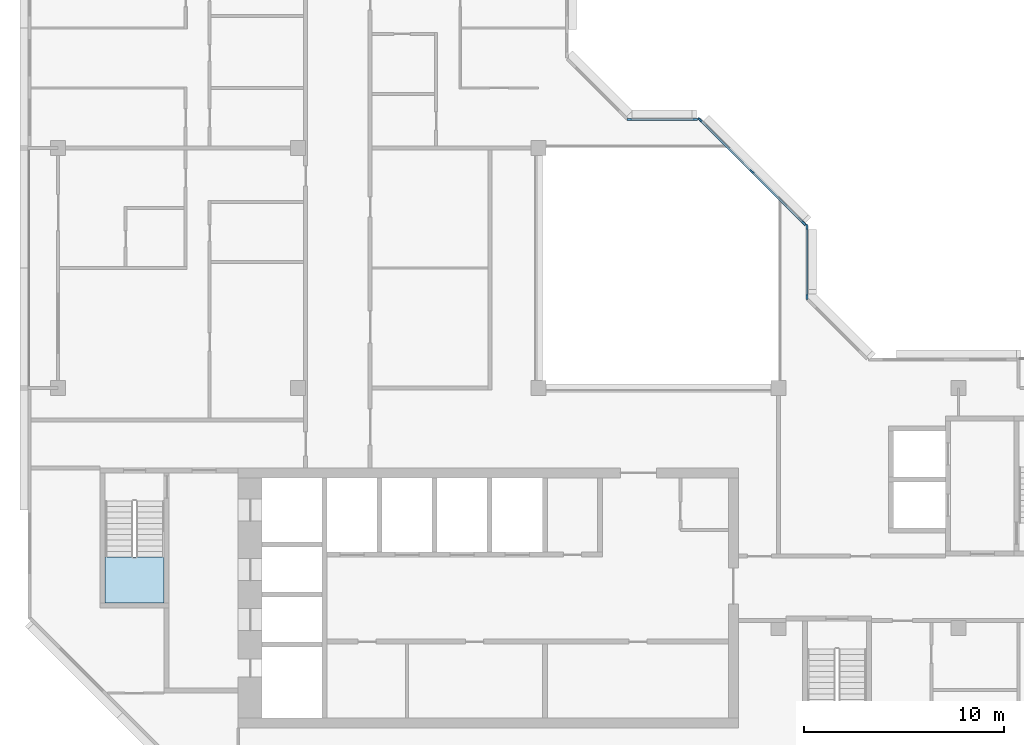
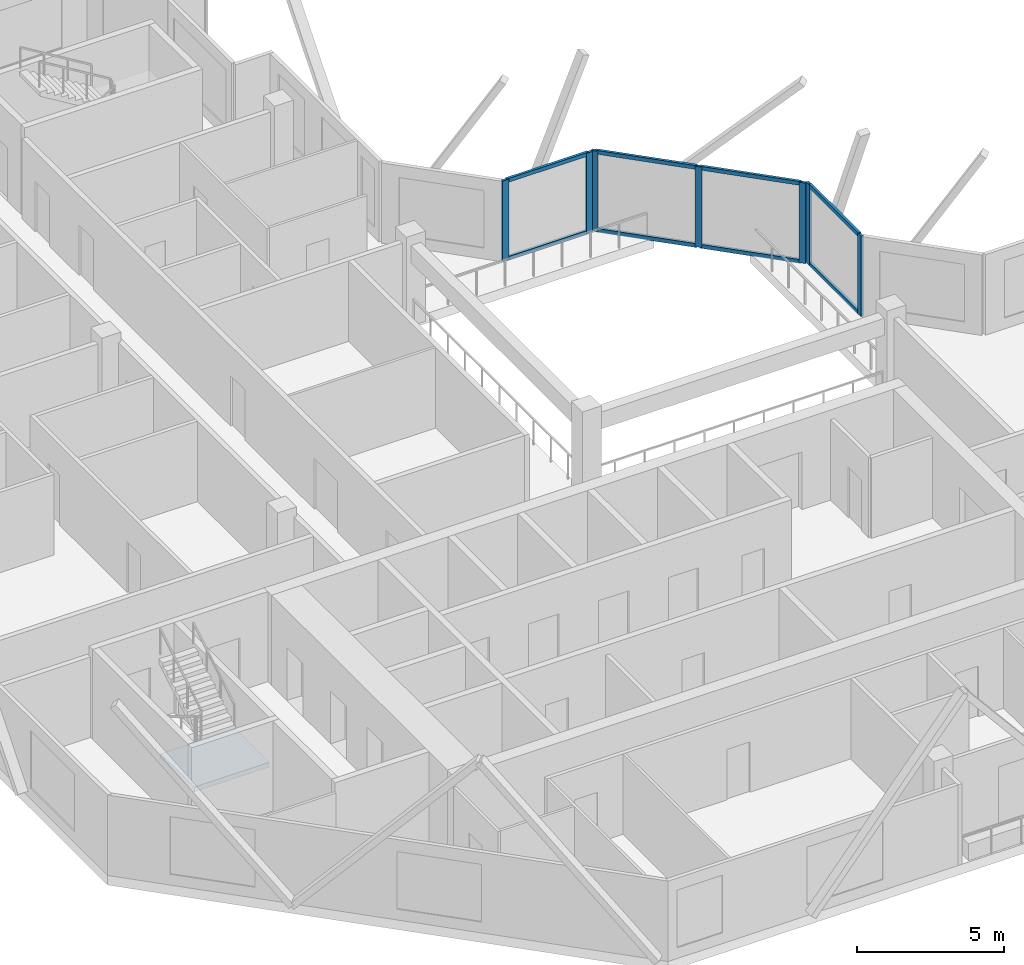
# One storey, part 2 of 12: 15 members, 1 slab, 4 elements without a shape of their own.
"""IFC4 building model written with IfcOpenShell, lengths in metres."""

from ifc_helpers import new_model, si_unit, direction, frame, origin, origin_2d, place, context, subcontext, project, spatial, polyline, rectangle, outline, extrude, material, layer, layer_set, material_profile, profile_set, type_object, element, aggregate, save


model = new_model("IFC4")

# Units and contexts
model_context = context("Model", 3, precision=1e-05, world=origin(), true_north=direction((0.0, 1.0)))
body_context = subcontext(model_context, "Body", "Model", "MODEL_VIEW")
ifc_project = project(units=[si_unit("LENGTHUNIT", "METRE"), si_unit("AREAUNIT", "SQUARE_METRE"), si_unit("VOLUMEUNIT", "CUBIC_METRE"), si_unit("PLANEANGLEUNIT", "RADIAN"), si_unit("MASSUNIT", "GRAM", prefix="KILO")], contexts=[model_context])

# Site, building, storey
site_placement = place(None, origin())
site = spatial("IfcSite", under=ifc_project, at=site_placement, CompositionType="ELEMENT")
building_placement = place(site_placement, origin())
building = spatial("IfcBuilding", under=site, at=building_placement, Name="Chenar Terraces", CompositionType="ELEMENT")
storey_placement = place(building_placement, frame((0.0, 0.0, 338.89990234375)))
storey = spatial("IfcBuildingStorey", under=building, at=storey_placement, Name="L78", CompositionType="ELEMENT", Elevation=338.89990234375)

# Curtain wall, members
ifc_material_1 = material(Name="Aluminium framed glazing", Category="aluminium")
ifc_layer_1 = layer(ifc_material_1, 0.14990234375)
ifc_layer_set_1 = layer_set([ifc_layer_1], Name="Aluminium framed glazing")
curtain_wall_type = type_object("IfcCurtainWallType", Name="Atrium upper-zone curtain wall", PredefinedType="NOTDEFINED", material=ifc_layer_set_1)
placement = place(storey_placement, origin())
curtain_wall_1 = element("IfcCurtainWall", 1, at=placement, inside=storey, type_object=curtain_wall_type, Name="Atrium upper-zone curtain wall", PredefinedType="NOTDEFINED")
ifc_material_2 = material(Name="Aluminium", Category="aluminium")
ifc_material_profile_1 = material_profile(ifc_material_2, rectangle(XDim=0.10009765625, YDim=0.239990234375, at=origin_2d()), Name="Atrium upper-zone glazing mullion 100 x 240")
ifc_profile_set_1 = profile_set([ifc_material_profile_1], Name="Aluminium")
member_type_1 = type_object("IfcMemberType", Name="Atrium upper-zone glazing mullion 100 x 240", PredefinedType="MULLION", material=ifc_profile_set_1)
member_1_placement = place(storey_placement, frame((37.425048828125, 28.550048828125, 0.0), z_axis=(0.0, 0.0, 1.0), x_axis=(-1.0, 0.0, 0.0)))
member_1 = element("IfcMember", 2, at=member_1_placement, type_object=member_type_1, Name="CW8-1 mullion 1", PredefinedType="MULLION", context=body_context, shape_type="SweptSolid", body=[
    extrude(rectangle(XDim=0.10009765625, YDim=0.239990234375, at=origin_2d()), origin(), (0.0, 0.0, 1.0), 3.35009765625),
])
member_2_placement = place(storey_placement, frame((37.425048828125, 32.050048828125, 0.0), z_axis=(0.0, 0.0, 1.0), x_axis=(-1.0, 0.0, 0.0)))
member_2 = element("IfcMember", 3, at=member_2_placement, type_object=member_type_1, Name="CW8-1 mullion 2", PredefinedType="MULLION", context=body_context, shape_type="SweptSolid", body=[
    extrude(rectangle(XDim=0.10009765625, YDim=0.239990234375, at=origin_2d()), origin(), (0.0, 0.0, 1.0), 3.35009765625),
])

curtain_wall_2 = element("IfcCurtainWall", 4, at=placement, inside=storey, type_object=curtain_wall_type, Name="Atrium upper-zone curtain wall", PredefinedType="NOTDEFINED")
member_3_placement = place(storey_placement, frame((37.270263671875, 32.2236328125, 0.0), z_axis=(0.0, 0.0, 1.0), x_axis=(-0.707106781187, -0.707106781187, 0.0)))
member_3 = element("IfcMember", 5, at=member_3_placement, type_object=member_type_1, Name="CW8-2 mullion 1", PredefinedType="MULLION", context=body_context, shape_type="SweptSolid", body=[
    extrude(rectangle(XDim=0.10009765625, YDim=0.239990234375, at=origin_2d()), origin(), (0.0, 0.0, 1.0), 3.35009765625),
])
member_4_placement = place(storey_placement, frame((34.67626953125, 34.817626953125, 0.0), z_axis=(0.0, 0.0, 1.0), x_axis=(-0.707106781187, -0.707106781187, 0.0)))
member_4 = element("IfcMember", 6, at=member_4_placement, type_object=member_type_1, Name="CW8-2 mullion 2", PredefinedType="MULLION", context=body_context, shape_type="SweptSolid", body=[
    extrude(rectangle(XDim=0.10009765625, YDim=0.239990234375, at=origin_2d()), origin(), (0.0, 0.0, 1.0), 3.35009765625),
])
member_5_placement = place(storey_placement, frame((32.082275390625, 37.41162109375, 0.0), z_axis=(0.0, 0.0, 1.0), x_axis=(-0.707106781187, -0.707106781187, 0.0)))
member_5 = element("IfcMember", 7, at=member_5_placement, type_object=member_type_1, Name="CW8-2 mullion 3", PredefinedType="MULLION", context=body_context, shape_type="SweptSolid", body=[
    extrude(rectangle(XDim=0.10009765625, YDim=0.239990234375, at=origin_2d()), origin(), (0.0, 0.0, 1.0), 3.35009765625),
])

curtain_wall_3 = element("IfcCurtainWall", 8, at=placement, inside=storey, type_object=curtain_wall_type, Name="Atrium upper-zone curtain wall", PredefinedType="NOTDEFINED")
member_6_placement = place(storey_placement, frame((31.85009765625, 37.425048828125, 0.0), z_axis=(0.0, 0.0, 1.0), x_axis=(0.0, -1.0, 0.0)))
member_6 = element("IfcMember", 9, at=member_6_placement, type_object=member_type_1, Name="CW8-3 mullion 1", PredefinedType="MULLION", context=body_context, shape_type="SweptSolid", body=[
    extrude(rectangle(XDim=0.10009765625, YDim=0.239990234375, at=origin_2d()), origin(), (0.0, 0.0, 1.0), 3.35009765625),
])
member_7_placement = place(storey_placement, frame((28.550048828125, 37.425048828125, 0.0), z_axis=(0.0, 0.0, 1.0), x_axis=(0.0, -1.0, 0.0)))
member_7 = element("IfcMember", 10, at=member_7_placement, type_object=member_type_1, Name="CW8-3 mullion 2", PredefinedType="MULLION", context=body_context, shape_type="SweptSolid", body=[
    extrude(rectangle(XDim=0.10009765625, YDim=0.239990234375, at=origin_2d()), origin(), (0.0, 0.0, 1.0), 3.35009765625),
])

# Member
ifc_material_3 = material(Name="Aluminium", Category="aluminium")
ifc_material_profile_2 = material_profile(ifc_material_3, rectangle(XDim=0.10009765625, YDim=0.159912109375, at=origin_2d()), Name="Atrium upper-zone glazing transom 100 x 160")
ifc_profile_set_2 = profile_set([ifc_material_profile_2], Name="Aluminium")
member_type_2 = type_object("IfcMemberType", Name="Atrium upper-zone glazing transom 100 x 160", PredefinedType="USERDEFINED", material=ifc_profile_set_2)
member_8_placement = place(storey_placement, frame((37.425048828125, 28.60009765625, 0.050048828125), z_axis=(0.0, 1.0, 0.0), x_axis=(-1.0, 0.0, 0.0)))
member_8 = element("IfcMember", 11, at=member_8_placement, type_object=member_type_2, Name="CW8-1 transom 1.1", ObjectType="TRANSOM", PredefinedType="USERDEFINED", context=body_context, shape_type="SweptSolid", body=[
    extrude(rectangle(XDim=0.10009765625, YDim=0.159912109375, at=origin_2d()), origin(), (0.0, 0.0, 1.0), 3.39990234375),
])

member_9_placement = place(storey_placement, frame((37.425048828125, 28.60009765625, 3.300048828125), z_axis=(0.0, 1.0, 0.0), x_axis=(-1.0, 0.0, 0.0)))
member_9 = element("IfcMember", 12, at=member_9_placement, type_object=member_type_2, Name="CW8-1 transom 1.2", ObjectType="TRANSOM", PredefinedType="USERDEFINED", context=body_context, shape_type="SweptSolid", body=[
    extrude(rectangle(XDim=0.10009765625, YDim=0.159912109375, at=origin_2d()), origin(), (0.0, 0.0, 1.0), 3.39990234375),
])

aggregate(curtain_wall_1, [member_1, member_2, member_8, member_9])

member_10_placement = place(storey_placement, frame((37.23486328125, 32.259033203125, 0.050048828125), z_axis=(-0.707106781187, 0.707106781187, 0.0), x_axis=(-0.707106781187, -0.707106781187, 0.0)))
member_10 = element("IfcMember", 13, at=member_10_placement, type_object=member_type_2, Name="CW8-2 transom 1.1", ObjectType="TRANSOM", PredefinedType="USERDEFINED", context=body_context, shape_type="SweptSolid", body=[
    extrude(rectangle(XDim=0.10009765625, YDim=0.159912109375, at=origin_2d()), origin(), (0.0, 0.0, 1.0), 3.568359375),
])

member_11_placement = place(storey_placement, frame((37.23486328125, 32.259033203125, 3.300048828125), z_axis=(-0.707106781187, 0.707106781187, 0.0), x_axis=(-0.707106781187, -0.707106781187, 0.0)))
member_11 = element("IfcMember", 14, at=member_11_placement, type_object=member_type_2, Name="CW8-2 transom 1.2", ObjectType="TRANSOM", PredefinedType="USERDEFINED", context=body_context, shape_type="SweptSolid", body=[
    extrude(rectangle(XDim=0.10009765625, YDim=0.159912109375, at=origin_2d()), origin(), (0.0, 0.0, 1.0), 3.568359375),
])

member_12_placement = place(storey_placement, frame((34.640869140625, 34.85302734375, 0.050048828125), z_axis=(-0.707106781187, 0.707106781187, 0.0), x_axis=(-0.707106781187, -0.707106781187, 0.0)))
member_12 = element("IfcMember", 15, at=member_12_placement, type_object=member_type_2, Name="CW8-2 transom 2.1", ObjectType="TRANSOM", PredefinedType="USERDEFINED", context=body_context, shape_type="SweptSolid", body=[
    extrude(rectangle(XDim=0.10009765625, YDim=0.159912109375, at=origin_2d()), origin(), (0.0, 0.0, 1.0), 3.568359375),
])

member_13_placement = place(storey_placement, frame((34.640869140625, 34.85302734375, 3.300048828125), z_axis=(-0.707106781187, 0.707106781187, 0.0), x_axis=(-0.707106781187, -0.707106781187, 0.0)))
member_13 = element("IfcMember", 16, at=member_13_placement, type_object=member_type_2, Name="CW8-2 transom 2.2", ObjectType="TRANSOM", PredefinedType="USERDEFINED", context=body_context, shape_type="SweptSolid", body=[
    extrude(rectangle(XDim=0.10009765625, YDim=0.159912109375, at=origin_2d()), origin(), (0.0, 0.0, 1.0), 3.568359375),
])

aggregate(curtain_wall_2, [member_3, member_4, member_5, member_10, member_11, member_12, member_13])

member_14_placement = place(storey_placement, frame((31.800048828125, 37.425048828125, 0.050048828125), z_axis=(-1.0, 0.0, 0.0), x_axis=(0.0, -1.0, 0.0)))
member_14 = element("IfcMember", 17, at=member_14_placement, type_object=member_type_2, Name="CW8-3 transom 1.1", ObjectType="TRANSOM", PredefinedType="USERDEFINED", context=body_context, shape_type="SweptSolid", body=[
    extrude(rectangle(XDim=0.10009765625, YDim=0.159912109375, at=origin_2d()), origin(), (0.0, 0.0, 1.0), 3.199951171875),
])

member_15_placement = place(storey_placement, frame((31.800048828125, 37.425048828125, 3.300048828125), z_axis=(-1.0, 0.0, 0.0), x_axis=(0.0, -1.0, 0.0)))
member_15 = element("IfcMember", 18, at=member_15_placement, type_object=member_type_2, Name="CW8-3 transom 1.2", ObjectType="TRANSOM", PredefinedType="USERDEFINED", context=body_context, shape_type="SweptSolid", body=[
    extrude(rectangle(XDim=0.10009765625, YDim=0.159912109375, at=origin_2d()), origin(), (0.0, 0.0, 1.0), 3.199951171875),
])

aggregate(curtain_wall_3, [member_6, member_7, member_14, member_15])

# Stair, slab
ifc_material_4 = material(Name="Reinforced concrete C40/50", Category="concrete")
stair_type = type_object("IfcStairType", Name="Core stair 1400 half-turn", PredefinedType="HALF_TURN_STAIR", material=ifc_material_4)
stair = element("IfcStair", 19, at=placement, inside=storey, type_object=stair_type, Name="L78 Stair 1", PredefinedType="HALF_TURN_STAIR")
ifc_material_5 = material(Name="Reinforced concrete C40/50", Category="concrete")
ifc_layer_2 = layer(ifc_material_5, 0.199951171875)
ifc_layer_set_2 = layer_set([ifc_layer_2], Name="Reinforced concrete C40/50")
slab_type = type_object("IfcSlabType", Name="Core stair landing 200", PredefinedType="LANDING", material=ifc_layer_set_2)
slab_placement = place(storey_placement, frame((0.0, 0.0, 1.675048828125)))
slab = element("IfcSlab", 20, at=slab_placement, type_object=slab_type, Name="ST1 landing 1", PredefinedType="LANDING", context=body_context, shape_type="SweptSolid", body=[
    extrude(outline(polyline([(2.35009765625, 15.550048828125), (2.35009765625, 13.25), (5.300048828125, 13.25), (5.300048828125, 15.550048828125), (2.35009765625, 15.550048828125)])), origin(), (0.0, 0.0, 1.0), 0.199951171875),
])
aggregate(stair, [slab])

save(model, "model.ifc")
